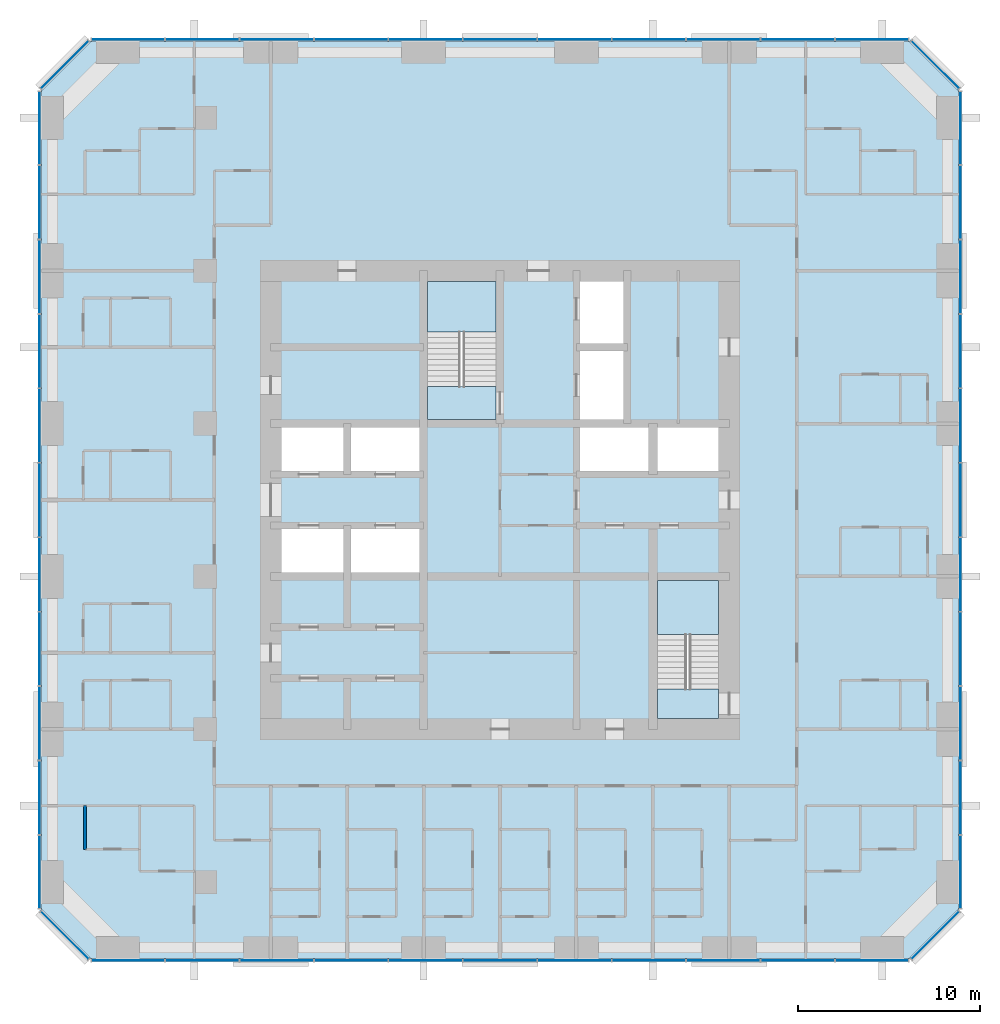
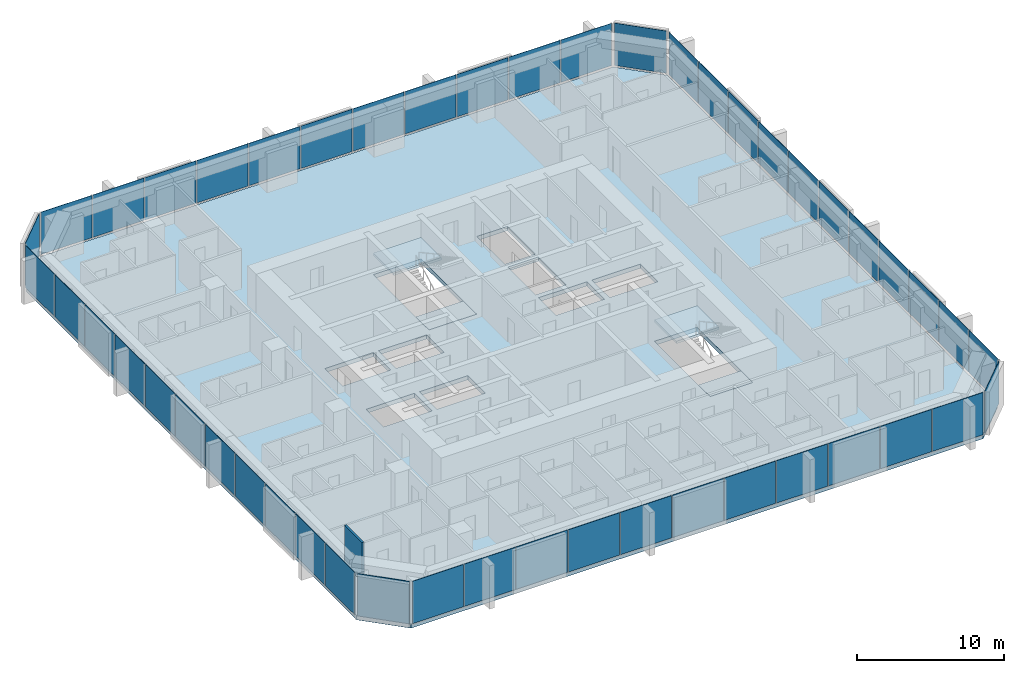
# One storey, part 7 of 14: 48 plates, 5 slabs, 1 wall, 10 elements without a shape of their own.
"""IFC4 building model written with IfcOpenShell, lengths in metres."""

from ifc_helpers import new_model, si_unit, direction, frame, frame_2d, origin, origin_2d, place, context, subcontext, project, spatial, polyline, rectangle, outline, extrude, material, layer, layer_set, type_object, element, aggregate, save


model = new_model("IFC4")

# Units and contexts
model_context = context("Model", 3, precision=1e-05, world=origin(), true_north=direction((0.0, 1.0)))
body_context = subcontext(model_context, "Body", "Model", "MODEL_VIEW")
ifc_project = project(units=[si_unit("LENGTHUNIT", "METRE"), si_unit("AREAUNIT", "SQUARE_METRE"), si_unit("VOLUMEUNIT", "CUBIC_METRE"), si_unit("PLANEANGLEUNIT", "RADIAN"), si_unit("MASSUNIT", "GRAM", prefix="KILO")], contexts=[model_context])

# Site, building, storey
site_placement = place(None, origin())
site = spatial("IfcSite", under=ifc_project, at=site_placement, CompositionType="ELEMENT")
building_placement = place(site_placement, origin())
building = spatial("IfcBuilding", under=site, at=building_placement, Name="Dunama Terrace Hotel", CompositionType="ELEMENT")
storey_placement = place(building_placement, frame((0.0, 0.0, 213.0)))
storey = spatial("IfcBuildingStorey", under=building, at=storey_placement, Name="L55", CompositionType="ELEMENT", Elevation=213.0)

# Curtain wall, plates
ifc_material_1 = material(Name="Aluminium curtain wall system", Category="aluminium")
curtain_wall_type = type_object("IfcCurtainWallType", Name="Unitised fritted glass wall CW-C", PredefinedType="NOTDEFINED", material=ifc_material_1)
curtain_wall_1_placement = place(storey_placement, origin())
curtain_wall_1 = element("IfcCurtainWall", 1, at=curtain_wall_1_placement, inside=storey, type_object=curtain_wall_type, Name="Unitised fritted glass wall CW-C L55", PredefinedType="NOTDEFINED")
ifc_material_2 = material(Name="Laminated glass", Category="glass")
ifc_layer_1 = layer(ifc_material_2, 0.031982421875)
ifc_layer_set_1 = layer_set([ifc_layer_1], Name="CWC clear glass panel")
plate_type_1 = type_object("IfcPlateType", Name="CWC clear glass panel", PredefinedType="CURTAIN_PANEL", material=ifc_layer_set_1)
plate_1_placement = place(storey_placement, frame((13.035888671875, 4.10009765625, 0.080078125), z_axis=(0.0, 0.0, 1.0), x_axis=(1.0, 0.0, 0.0)))
plate_1 = element("IfcPlate", 2, at=plate_1_placement, type_object=plate_type_1, Name="CWC clear glass panel", PredefinedType="CURTAIN_PANEL", context=body_context, shape_type="SweptSolid", body=[
    extrude(rectangle(XDim=4.02099609375, YDim=0.031982421875, at=origin_2d()), origin(), (0.0, 0.0, 1.0), 3.52001953125),
])
plate_2_placement = place(storey_placement, frame((25.30908203125, 4.10009765625, 0.080078125), z_axis=(0.0, 0.0, 1.0), x_axis=(1.0, 0.0, 0.0)))
plate_2 = element("IfcPlate", 3, at=plate_2_placement, type_object=plate_type_1, Name="CWC clear glass panel", PredefinedType="CURTAIN_PANEL", context=body_context, shape_type="SweptSolid", body=[
    extrude(rectangle(XDim=4.02099609375, YDim=0.031982421875, at=origin_2d()), origin(), (0.0, 0.0, 1.0), 3.52001953125),
])
plate_3_placement = place(storey_placement, frame((37.58203125, 4.10009765625, 0.080078125), z_axis=(0.0, 0.0, 1.0), x_axis=(1.0, 0.0, 0.0)))
plate_3 = element("IfcPlate", 4, at=plate_3_placement, type_object=plate_type_1, Name="CWC clear glass panel", PredefinedType="CURTAIN_PANEL", context=body_context, shape_type="SweptSolid", body=[
    extrude(rectangle(XDim=4.02099609375, YDim=0.031982421875, at=origin_2d()), origin(), (0.0, 0.0, 1.0), 3.52001953125),
])
plate_4_placement = place(storey_placement, frame((49.8369140625, 4.10009765625, 0.080078125), z_axis=(0.0, 0.0, 1.0), x_axis=(1.0, 0.0, 0.0)))
plate_4 = element("IfcPlate", 5, at=plate_4_placement, type_object=plate_type_1, Name="CWC clear glass panel", PredefinedType="CURTAIN_PANEL", context=body_context, shape_type="SweptSolid", body=[
    extrude(rectangle(XDim=3.98583984375, YDim=0.031982421875, at=origin_2d()), origin(), (0.0, 0.0, 1.0), 3.52001953125),
])

curtain_wall_2_placement = place(storey_placement, origin())
curtain_wall_2 = element("IfcCurtainWall", 6, at=curtain_wall_2_placement, inside=storey, type_object=curtain_wall_type, Name="Unitised fritted glass wall CW-C L55", PredefinedType="NOTDEFINED")
plate_5_placement = place(storey_placement, frame((54.699951171875, 13.035888671875, 0.080078125), z_axis=(0.0, 0.0, 1.0), x_axis=(0.0, 1.0, 0.0)))
plate_5 = element("IfcPlate", 7, at=plate_5_placement, type_object=plate_type_1, Name="CWC clear glass panel", PredefinedType="CURTAIN_PANEL", context=body_context, shape_type="SweptSolid", body=[
    extrude(rectangle(XDim=4.02099609375, YDim=0.031982421875, at=origin_2d()), origin(), (0.0, 0.0, 1.0), 3.52001953125),
])
plate_6_placement = place(storey_placement, frame((54.699951171875, 25.30908203125, 0.080078125), z_axis=(0.0, 0.0, 1.0), x_axis=(0.0, 1.0, 0.0)))
plate_6 = element("IfcPlate", 8, at=plate_6_placement, type_object=plate_type_1, Name="CWC clear glass panel", PredefinedType="CURTAIN_PANEL", context=body_context, shape_type="SweptSolid", body=[
    extrude(rectangle(XDim=4.02099609375, YDim=0.031982421875, at=origin_2d()), origin(), (0.0, 0.0, 1.0), 3.52001953125),
])
plate_7_placement = place(storey_placement, frame((54.699951171875, 37.58203125, 0.080078125), z_axis=(0.0, 0.0, 1.0), x_axis=(0.0, 1.0, 0.0)))
plate_7 = element("IfcPlate", 9, at=plate_7_placement, type_object=plate_type_1, Name="CWC clear glass panel", PredefinedType="CURTAIN_PANEL", context=body_context, shape_type="SweptSolid", body=[
    extrude(rectangle(XDim=4.02099609375, YDim=0.031982421875, at=origin_2d()), origin(), (0.0, 0.0, 1.0), 3.52001953125),
])
plate_8_placement = place(storey_placement, frame((54.699951171875, 49.8369140625, 0.080078125), z_axis=(0.0, 0.0, 1.0), x_axis=(0.0, 1.0, 0.0)))
plate_8 = element("IfcPlate", 10, at=plate_8_placement, type_object=plate_type_1, Name="CWC clear glass panel", PredefinedType="CURTAIN_PANEL", context=body_context, shape_type="SweptSolid", body=[
    extrude(rectangle(XDim=3.98583984375, YDim=0.031982421875, at=origin_2d()), origin(), (0.0, 0.0, 1.0), 3.52001953125),
])

curtain_wall_3_placement = place(storey_placement, origin())
curtain_wall_3 = element("IfcCurtainWall", 11, at=curtain_wall_3_placement, inside=storey, type_object=curtain_wall_type, Name="Unitised fritted glass wall CW-C L55", PredefinedType="NOTDEFINED")
plate_9_placement = place(storey_placement, frame((45.763916015625, 54.699951171875, 0.080078125), z_axis=(0.0, 0.0, 1.0), x_axis=(-1.0, 0.0, 0.0)))
plate_9 = element("IfcPlate", 12, at=plate_9_placement, type_object=plate_type_1, Name="CWC clear glass panel", PredefinedType="CURTAIN_PANEL", context=body_context, shape_type="SweptSolid", body=[
    extrude(rectangle(XDim=4.02099609375, YDim=0.031982421875, at=origin_2d()), origin(), (0.0, 0.0, 1.0), 3.52001953125),
])
plate_10_placement = place(storey_placement, frame((33.490966796875, 54.699951171875, 0.080078125), z_axis=(0.0, 0.0, 1.0), x_axis=(-1.0, 0.0, 0.0)))
plate_10 = element("IfcPlate", 13, at=plate_10_placement, type_object=plate_type_1, Name="CWC clear glass panel", PredefinedType="CURTAIN_PANEL", context=body_context, shape_type="SweptSolid", body=[
    extrude(rectangle(XDim=4.02099609375, YDim=0.031982421875, at=origin_2d()), origin(), (0.0, 0.0, 1.0), 3.52001953125),
])
plate_11_placement = place(storey_placement, frame((21.218017578125, 54.699951171875, 0.080078125), z_axis=(0.0, 0.0, 1.0), x_axis=(-1.0, 0.0, 0.0)))
plate_11 = element("IfcPlate", 14, at=plate_11_placement, type_object=plate_type_1, Name="CWC clear glass panel", PredefinedType="CURTAIN_PANEL", context=body_context, shape_type="SweptSolid", body=[
    extrude(rectangle(XDim=4.02099609375, YDim=0.031982421875, at=origin_2d()), origin(), (0.0, 0.0, 1.0), 3.52001953125),
])
plate_12_placement = place(storey_placement, frame((8.962890625, 54.699951171875, 0.080078125), z_axis=(0.0, 0.0, 1.0), x_axis=(-1.0, 0.0, 0.0)))
plate_12 = element("IfcPlate", 15, at=plate_12_placement, type_object=plate_type_1, Name="CWC clear glass panel", PredefinedType="CURTAIN_PANEL", context=body_context, shape_type="SweptSolid", body=[
    extrude(rectangle(XDim=3.98583984375, YDim=0.031982421875, at=origin_2d()), origin(), (0.0, 0.0, 1.0), 3.52001953125),
])

curtain_wall_4_placement = place(storey_placement, origin())
curtain_wall_4 = element("IfcCurtainWall", 16, at=curtain_wall_4_placement, inside=storey, type_object=curtain_wall_type, Name="Unitised fritted glass wall CW-C L55", PredefinedType="NOTDEFINED")
plate_13_placement = place(storey_placement, frame((4.10009765625, 45.763916015625, 0.080078125), z_axis=(0.0, 0.0, 1.0), x_axis=(0.0, -1.0, 0.0)))
plate_13 = element("IfcPlate", 17, at=plate_13_placement, type_object=plate_type_1, Name="CWC clear glass panel", PredefinedType="CURTAIN_PANEL", context=body_context, shape_type="SweptSolid", body=[
    extrude(rectangle(XDim=4.02099609375, YDim=0.031982421875, at=origin_2d()), origin(), (0.0, 0.0, 1.0), 3.52001953125),
])
plate_14_placement = place(storey_placement, frame((4.10009765625, 33.490966796875, 0.080078125), z_axis=(0.0, 0.0, 1.0), x_axis=(0.0, -1.0, 0.0)))
plate_14 = element("IfcPlate", 18, at=plate_14_placement, type_object=plate_type_1, Name="CWC clear glass panel", PredefinedType="CURTAIN_PANEL", context=body_context, shape_type="SweptSolid", body=[
    extrude(rectangle(XDim=4.02099609375, YDim=0.031982421875, at=origin_2d()), origin(), (0.0, 0.0, 1.0), 3.52001953125),
])
plate_15_placement = place(storey_placement, frame((4.10009765625, 21.218017578125, 0.080078125), z_axis=(0.0, 0.0, 1.0), x_axis=(0.0, -1.0, 0.0)))
plate_15 = element("IfcPlate", 19, at=plate_15_placement, type_object=plate_type_1, Name="CWC clear glass panel", PredefinedType="CURTAIN_PANEL", context=body_context, shape_type="SweptSolid", body=[
    extrude(rectangle(XDim=4.02099609375, YDim=0.031982421875, at=origin_2d()), origin(), (0.0, 0.0, 1.0), 3.52001953125),
])
plate_16_placement = place(storey_placement, frame((4.10009765625, 8.962890625, 0.080078125), z_axis=(0.0, 0.0, 1.0), x_axis=(0.0, -1.0, 0.0)))
plate_16 = element("IfcPlate", 20, at=plate_16_placement, type_object=plate_type_1, Name="CWC clear glass panel", PredefinedType="CURTAIN_PANEL", context=body_context, shape_type="SweptSolid", body=[
    extrude(rectangle(XDim=3.98583984375, YDim=0.031982421875, at=origin_2d()), origin(), (0.0, 0.0, 1.0), 3.52001953125),
])

# Plate
ifc_material_3 = material(Name="Fritted laminated glass", Category="glass")
ifc_layer_2 = layer(ifc_material_3, 0.031982421875)
ifc_layer_set_2 = layer_set([ifc_layer_2], Name="CWC fritted glass panel")
plate_type_2 = type_object("IfcPlateType", Name="CWC fritted glass panel", PredefinedType="CURTAIN_PANEL", material=ifc_layer_set_2)
plate_17_placement = place(storey_placement, frame((8.962890625, 4.10009765625, 0.080078125), z_axis=(0.0, 0.0, 1.0), x_axis=(1.0, 0.0, 0.0)))
plate_17 = element("IfcPlate", 21, at=plate_17_placement, type_object=plate_type_2, Name="CWC fritted glass panel", PredefinedType="CURTAIN_PANEL", context=body_context, shape_type="SweptSolid", body=[
    extrude(rectangle(XDim=3.98583984375, YDim=0.031982421875, at=origin_2d()), origin(), (0.0, 0.0, 1.0), 3.52001953125),
])

plate_18_placement = place(storey_placement, frame((21.218017578125, 4.10009765625, 0.080078125), z_axis=(0.0, 0.0, 1.0), x_axis=(1.0, 0.0, 0.0)))
plate_18 = element("IfcPlate", 22, at=plate_18_placement, type_object=plate_type_2, Name="CWC fritted glass panel", PredefinedType="CURTAIN_PANEL", context=body_context, shape_type="SweptSolid", body=[
    extrude(rectangle(XDim=4.02099609375, YDim=0.031982421875, at=origin_2d()), origin(), (0.0, 0.0, 1.0), 3.52001953125),
])

plate_19_placement = place(storey_placement, frame((33.490966796875, 4.10009765625, 0.080078125), z_axis=(0.0, 0.0, 1.0), x_axis=(1.0, 0.0, 0.0)))
plate_19 = element("IfcPlate", 23, at=plate_19_placement, type_object=plate_type_2, Name="CWC fritted glass panel", PredefinedType="CURTAIN_PANEL", context=body_context, shape_type="SweptSolid", body=[
    extrude(rectangle(XDim=4.02099609375, YDim=0.031982421875, at=origin_2d()), origin(), (0.0, 0.0, 1.0), 3.52001953125),
])

plate_20_placement = place(storey_placement, frame((45.763916015625, 4.10009765625, 0.080078125), z_axis=(0.0, 0.0, 1.0), x_axis=(1.0, 0.0, 0.0)))
plate_20 = element("IfcPlate", 24, at=plate_20_placement, type_object=plate_type_2, Name="CWC fritted glass panel", PredefinedType="CURTAIN_PANEL", context=body_context, shape_type="SweptSolid", body=[
    extrude(rectangle(XDim=4.02099609375, YDim=0.031982421875, at=origin_2d()), origin(), (0.0, 0.0, 1.0), 3.52001953125),
])

plate_21_placement = place(storey_placement, frame((54.699951171875, 8.962890625, 0.080078125), z_axis=(0.0, 0.0, 1.0), x_axis=(0.0, 1.0, 0.0)))
plate_21 = element("IfcPlate", 25, at=plate_21_placement, type_object=plate_type_2, Name="CWC fritted glass panel", PredefinedType="CURTAIN_PANEL", context=body_context, shape_type="SweptSolid", body=[
    extrude(rectangle(XDim=3.98583984375, YDim=0.031982421875, at=origin_2d()), origin(), (0.0, 0.0, 1.0), 3.52001953125),
])

plate_22_placement = place(storey_placement, frame((54.699951171875, 21.218017578125, 0.080078125), z_axis=(0.0, 0.0, 1.0), x_axis=(0.0, 1.0, 0.0)))
plate_22 = element("IfcPlate", 26, at=plate_22_placement, type_object=plate_type_2, Name="CWC fritted glass panel", PredefinedType="CURTAIN_PANEL", context=body_context, shape_type="SweptSolid", body=[
    extrude(rectangle(XDim=4.02099609375, YDim=0.031982421875, at=origin_2d()), origin(), (0.0, 0.0, 1.0), 3.52001953125),
])

plate_23_placement = place(storey_placement, frame((54.699951171875, 33.490966796875, 0.080078125), z_axis=(0.0, 0.0, 1.0), x_axis=(0.0, 1.0, 0.0)))
plate_23 = element("IfcPlate", 27, at=plate_23_placement, type_object=plate_type_2, Name="CWC fritted glass panel", PredefinedType="CURTAIN_PANEL", context=body_context, shape_type="SweptSolid", body=[
    extrude(rectangle(XDim=4.02099609375, YDim=0.031982421875, at=origin_2d()), origin(), (0.0, 0.0, 1.0), 3.52001953125),
])

plate_24_placement = place(storey_placement, frame((54.699951171875, 45.763916015625, 0.080078125), z_axis=(0.0, 0.0, 1.0), x_axis=(0.0, 1.0, 0.0)))
plate_24 = element("IfcPlate", 28, at=plate_24_placement, type_object=plate_type_2, Name="CWC fritted glass panel", PredefinedType="CURTAIN_PANEL", context=body_context, shape_type="SweptSolid", body=[
    extrude(rectangle(XDim=4.02099609375, YDim=0.031982421875, at=origin_2d()), origin(), (0.0, 0.0, 1.0), 3.52001953125),
])

plate_25_placement = place(storey_placement, frame((49.8369140625, 54.699951171875, 0.080078125), z_axis=(0.0, 0.0, 1.0), x_axis=(-1.0, 0.0, 0.0)))
plate_25 = element("IfcPlate", 29, at=plate_25_placement, type_object=plate_type_2, Name="CWC fritted glass panel", PredefinedType="CURTAIN_PANEL", context=body_context, shape_type="SweptSolid", body=[
    extrude(rectangle(XDim=3.98583984375, YDim=0.031982421875, at=origin_2d()), origin(), (0.0, 0.0, 1.0), 3.52001953125),
])

plate_26_placement = place(storey_placement, frame((37.58203125, 54.699951171875, 0.080078125), z_axis=(0.0, 0.0, 1.0), x_axis=(-1.0, 0.0, 0.0)))
plate_26 = element("IfcPlate", 30, at=plate_26_placement, type_object=plate_type_2, Name="CWC fritted glass panel", PredefinedType="CURTAIN_PANEL", context=body_context, shape_type="SweptSolid", body=[
    extrude(rectangle(XDim=4.02099609375, YDim=0.031982421875, at=origin_2d()), origin(), (0.0, 0.0, 1.0), 3.52001953125),
])

plate_27_placement = place(storey_placement, frame((25.30908203125, 54.699951171875, 0.080078125), z_axis=(0.0, 0.0, 1.0), x_axis=(-1.0, 0.0, 0.0)))
plate_27 = element("IfcPlate", 31, at=plate_27_placement, type_object=plate_type_2, Name="CWC fritted glass panel", PredefinedType="CURTAIN_PANEL", context=body_context, shape_type="SweptSolid", body=[
    extrude(rectangle(XDim=4.02099609375, YDim=0.031982421875, at=origin_2d()), origin(), (0.0, 0.0, 1.0), 3.52001953125),
])

plate_28_placement = place(storey_placement, frame((13.035888671875, 54.699951171875, 0.080078125), z_axis=(0.0, 0.0, 1.0), x_axis=(-1.0, 0.0, 0.0)))
plate_28 = element("IfcPlate", 32, at=plate_28_placement, type_object=plate_type_2, Name="CWC fritted glass panel", PredefinedType="CURTAIN_PANEL", context=body_context, shape_type="SweptSolid", body=[
    extrude(rectangle(XDim=4.02099609375, YDim=0.031982421875, at=origin_2d()), origin(), (0.0, 0.0, 1.0), 3.52001953125),
])

plate_29_placement = place(storey_placement, frame((4.10009765625, 49.8369140625, 0.080078125), z_axis=(0.0, 0.0, 1.0), x_axis=(0.0, -1.0, 0.0)))
plate_29 = element("IfcPlate", 33, at=plate_29_placement, type_object=plate_type_2, Name="CWC fritted glass panel", PredefinedType="CURTAIN_PANEL", context=body_context, shape_type="SweptSolid", body=[
    extrude(rectangle(XDim=3.98583984375, YDim=0.031982421875, at=origin_2d()), origin(), (0.0, 0.0, 1.0), 3.52001953125),
])

plate_30_placement = place(storey_placement, frame((4.10009765625, 37.58203125, 0.080078125), z_axis=(0.0, 0.0, 1.0), x_axis=(0.0, -1.0, 0.0)))
plate_30 = element("IfcPlate", 34, at=plate_30_placement, type_object=plate_type_2, Name="CWC fritted glass panel", PredefinedType="CURTAIN_PANEL", context=body_context, shape_type="SweptSolid", body=[
    extrude(rectangle(XDim=4.02099609375, YDim=0.031982421875, at=origin_2d()), origin(), (0.0, 0.0, 1.0), 3.52001953125),
])

plate_31_placement = place(storey_placement, frame((4.10009765625, 25.30908203125, 0.080078125), z_axis=(0.0, 0.0, 1.0), x_axis=(0.0, -1.0, 0.0)))
plate_31 = element("IfcPlate", 35, at=plate_31_placement, type_object=plate_type_2, Name="CWC fritted glass panel", PredefinedType="CURTAIN_PANEL", context=body_context, shape_type="SweptSolid", body=[
    extrude(rectangle(XDim=4.02099609375, YDim=0.031982421875, at=origin_2d()), origin(), (0.0, 0.0, 1.0), 3.52001953125),
])

plate_32_placement = place(storey_placement, frame((4.10009765625, 13.035888671875, 0.080078125), z_axis=(0.0, 0.0, 1.0), x_axis=(0.0, -1.0, 0.0)))
plate_32 = element("IfcPlate", 36, at=plate_32_placement, type_object=plate_type_2, Name="CWC fritted glass panel", PredefinedType="CURTAIN_PANEL", context=body_context, shape_type="SweptSolid", body=[
    extrude(rectangle(XDim=4.02099609375, YDim=0.031982421875, at=origin_2d()), origin(), (0.0, 0.0, 1.0), 3.52001953125),
])

ifc_material_4 = material(Name="Laminated glass", Category="glass")
ifc_layer_3 = layer(ifc_material_4, 0.031982421875)
ifc_layer_set_3 = layer_set([ifc_layer_3], Name="CWC operable glass panel")
plate_type_3 = type_object("IfcPlateType", Name="CWC operable glass panel", PredefinedType="CURTAIN_PANEL", material=ifc_layer_set_3)
plate_33_placement = place(storey_placement, frame((17.126953125, 4.10009765625, 0.080078125), z_axis=(0.0, 0.0, 1.0), x_axis=(1.0, 0.0, 0.0)))
plate_33 = element("IfcPlate", 37, at=plate_33_placement, type_object=plate_type_3, Name="CWC operable glass panel", PredefinedType="CURTAIN_PANEL", context=body_context, shape_type="SweptSolid", body=[
    extrude(rectangle(XDim=4.02099609375, YDim=0.031982421875, at=origin_2d()), origin(), (0.0, 0.0, 1.0), 3.52001953125),
])

plate_34_placement = place(storey_placement, frame((29.39990234375, 4.10009765625, 0.080078125), z_axis=(0.0, 0.0, 1.0), x_axis=(1.0, 0.0, 0.0)))
plate_34 = element("IfcPlate", 38, at=plate_34_placement, type_object=plate_type_3, Name="CWC operable glass panel", PredefinedType="CURTAIN_PANEL", context=body_context, shape_type="SweptSolid", body=[
    extrude(rectangle(XDim=4.02099609375, YDim=0.031982421875, at=origin_2d()), origin(), (0.0, 0.0, 1.0), 3.52001953125),
])

plate_35_placement = place(storey_placement, frame((41.673095703125, 4.10009765625, 0.080078125), z_axis=(0.0, 0.0, 1.0), x_axis=(1.0, 0.0, 0.0)))
plate_35 = element("IfcPlate", 39, at=plate_35_placement, type_object=plate_type_3, Name="CWC operable glass panel", PredefinedType="CURTAIN_PANEL", context=body_context, shape_type="SweptSolid", body=[
    extrude(rectangle(XDim=4.02099609375, YDim=0.031982421875, at=origin_2d()), origin(), (0.0, 0.0, 1.0), 3.52001953125),
])

aggregate(curtain_wall_1, [plate_17, plate_1, plate_33, plate_18, plate_2, plate_34, plate_19, plate_3, plate_35, plate_20, plate_4])

# Curtain wall, plate
curtain_wall_5_placement = place(storey_placement, origin())
curtain_wall_5 = element("IfcCurtainWall", 40, at=curtain_wall_5_placement, inside=storey, type_object=curtain_wall_type, Name="Unitised fritted glass wall CW-C L55", PredefinedType="NOTDEFINED")
plate_36_placement = place(storey_placement, frame((53.321044921875, 5.47900390625, 0.080078125), z_axis=(0.0, 0.0, 1.0), x_axis=(0.707106781187, 0.707106781187, 0.0)))
plate_36 = element("IfcPlate", 41, at=plate_36_placement, type_object=plate_type_3, Name="CWC operable glass panel", PredefinedType="CURTAIN_PANEL", context=body_context, shape_type="SweptSolid", body=[
    extrude(rectangle(XDim=3.678466796875, YDim=0.031982421875, at=origin_2d()), origin(), (0.0, 0.0, 1.0), 3.52001953125),
])
aggregate(curtain_wall_5, [plate_36])

# Plate
plate_37_placement = place(storey_placement, frame((54.699951171875, 17.126953125, 0.080078125), z_axis=(0.0, 0.0, 1.0), x_axis=(0.0, 1.0, 0.0)))
plate_37 = element("IfcPlate", 42, at=plate_37_placement, type_object=plate_type_3, Name="CWC operable glass panel", PredefinedType="CURTAIN_PANEL", context=body_context, shape_type="SweptSolid", body=[
    extrude(rectangle(XDim=4.02099609375, YDim=0.031982421875, at=origin_2d()), origin(), (0.0, 0.0, 1.0), 3.52001953125),
])

plate_38_placement = place(storey_placement, frame((54.699951171875, 29.39990234375, 0.080078125), z_axis=(0.0, 0.0, 1.0), x_axis=(0.0, 1.0, 0.0)))
plate_38 = element("IfcPlate", 43, at=plate_38_placement, type_object=plate_type_3, Name="CWC operable glass panel", PredefinedType="CURTAIN_PANEL", context=body_context, shape_type="SweptSolid", body=[
    extrude(rectangle(XDim=4.02099609375, YDim=0.031982421875, at=origin_2d()), origin(), (0.0, 0.0, 1.0), 3.52001953125),
])

plate_39_placement = place(storey_placement, frame((54.699951171875, 41.673095703125, 0.080078125), z_axis=(0.0, 0.0, 1.0), x_axis=(0.0, 1.0, 0.0)))
plate_39 = element("IfcPlate", 44, at=plate_39_placement, type_object=plate_type_3, Name="CWC operable glass panel", PredefinedType="CURTAIN_PANEL", context=body_context, shape_type="SweptSolid", body=[
    extrude(rectangle(XDim=4.02099609375, YDim=0.031982421875, at=origin_2d()), origin(), (0.0, 0.0, 1.0), 3.52001953125),
])

aggregate(curtain_wall_2, [plate_21, plate_5, plate_37, plate_22, plate_6, plate_38, plate_23, plate_7, plate_39, plate_24, plate_8])

# Curtain wall, plate
curtain_wall_6_placement = place(storey_placement, origin())
curtain_wall_6 = element("IfcCurtainWall", 45, at=curtain_wall_6_placement, inside=storey, type_object=curtain_wall_type, Name="Unitised fritted glass wall CW-C L55", PredefinedType="NOTDEFINED")
plate_40_placement = place(storey_placement, frame((53.321044921875, 53.321044921875, 0.080078125), z_axis=(0.0, 0.0, 1.0), x_axis=(-0.707106781187, 0.707106781187, 0.0)))
plate_40 = element("IfcPlate", 46, at=plate_40_placement, type_object=plate_type_3, Name="CWC operable glass panel", PredefinedType="CURTAIN_PANEL", context=body_context, shape_type="SweptSolid", body=[
    extrude(rectangle(XDim=3.678466796875, YDim=0.031982421875, at=origin_2d()), origin(), (0.0, 0.0, 1.0), 3.52001953125),
])
aggregate(curtain_wall_6, [plate_40])

# Plate
plate_41_placement = place(storey_placement, frame((41.673095703125, 54.699951171875, 0.080078125), z_axis=(0.0, 0.0, 1.0), x_axis=(-1.0, 0.0, 0.0)))
plate_41 = element("IfcPlate", 47, at=plate_41_placement, type_object=plate_type_3, Name="CWC operable glass panel", PredefinedType="CURTAIN_PANEL", context=body_context, shape_type="SweptSolid", body=[
    extrude(rectangle(XDim=4.02099609375, YDim=0.031982421875, at=origin_2d()), origin(), (0.0, 0.0, 1.0), 3.52001953125),
])

plate_42_placement = place(storey_placement, frame((29.39990234375, 54.699951171875, 0.080078125), z_axis=(0.0, 0.0, 1.0), x_axis=(-1.0, 0.0, 0.0)))
plate_42 = element("IfcPlate", 48, at=plate_42_placement, type_object=plate_type_3, Name="CWC operable glass panel", PredefinedType="CURTAIN_PANEL", context=body_context, shape_type="SweptSolid", body=[
    extrude(rectangle(XDim=4.02099609375, YDim=0.031982421875, at=origin_2d()), origin(), (0.0, 0.0, 1.0), 3.52001953125),
])

plate_43_placement = place(storey_placement, frame((17.126953125, 54.699951171875, 0.080078125), z_axis=(0.0, 0.0, 1.0), x_axis=(-1.0, 0.0, 0.0)))
plate_43 = element("IfcPlate", 49, at=plate_43_placement, type_object=plate_type_3, Name="CWC operable glass panel", PredefinedType="CURTAIN_PANEL", context=body_context, shape_type="SweptSolid", body=[
    extrude(rectangle(XDim=4.02099609375, YDim=0.031982421875, at=origin_2d()), origin(), (0.0, 0.0, 1.0), 3.52001953125),
])

aggregate(curtain_wall_3, [plate_25, plate_9, plate_41, plate_26, plate_10, plate_42, plate_27, plate_11, plate_43, plate_28, plate_12])

# Curtain wall, plate
curtain_wall_7_placement = place(storey_placement, origin())
curtain_wall_7 = element("IfcCurtainWall", 50, at=curtain_wall_7_placement, inside=storey, type_object=curtain_wall_type, Name="Unitised fritted glass wall CW-C L55", PredefinedType="NOTDEFINED")
plate_44_placement = place(storey_placement, frame((5.47900390625, 53.321044921875, 0.080078125), z_axis=(0.0, 0.0, 1.0), x_axis=(-0.707106781187, -0.707106781187, 0.0)))
plate_44 = element("IfcPlate", 51, at=plate_44_placement, type_object=plate_type_3, Name="CWC operable glass panel", PredefinedType="CURTAIN_PANEL", context=body_context, shape_type="SweptSolid", body=[
    extrude(rectangle(XDim=3.678466796875, YDim=0.031982421875, at=origin_2d()), origin(), (0.0, 0.0, 1.0), 3.52001953125),
])
aggregate(curtain_wall_7, [plate_44])

# Plate
plate_45_placement = place(storey_placement, frame((4.10009765625, 41.673095703125, 0.080078125), z_axis=(0.0, 0.0, 1.0), x_axis=(0.0, -1.0, 0.0)))
plate_45 = element("IfcPlate", 52, at=plate_45_placement, type_object=plate_type_3, Name="CWC operable glass panel", PredefinedType="CURTAIN_PANEL", context=body_context, shape_type="SweptSolid", body=[
    extrude(rectangle(XDim=4.02099609375, YDim=0.031982421875, at=origin_2d()), origin(), (0.0, 0.0, 1.0), 3.52001953125),
])

plate_46_placement = place(storey_placement, frame((4.10009765625, 29.39990234375, 0.080078125), z_axis=(0.0, 0.0, 1.0), x_axis=(0.0, -1.0, 0.0)))
plate_46 = element("IfcPlate", 53, at=plate_46_placement, type_object=plate_type_3, Name="CWC operable glass panel", PredefinedType="CURTAIN_PANEL", context=body_context, shape_type="SweptSolid", body=[
    extrude(rectangle(XDim=4.02099609375, YDim=0.031982421875, at=origin_2d()), origin(), (0.0, 0.0, 1.0), 3.52001953125),
])

plate_47_placement = place(storey_placement, frame((4.10009765625, 17.126953125, 0.080078125), z_axis=(0.0, 0.0, 1.0), x_axis=(0.0, -1.0, 0.0)))
plate_47 = element("IfcPlate", 54, at=plate_47_placement, type_object=plate_type_3, Name="CWC operable glass panel", PredefinedType="CURTAIN_PANEL", context=body_context, shape_type="SweptSolid", body=[
    extrude(rectangle(XDim=4.02099609375, YDim=0.031982421875, at=origin_2d()), origin(), (0.0, 0.0, 1.0), 3.52001953125),
])

aggregate(curtain_wall_4, [plate_29, plate_13, plate_45, plate_30, plate_14, plate_46, plate_31, plate_15, plate_47, plate_32, plate_16])

# Curtain wall, plate
curtain_wall_8_placement = place(storey_placement, origin())
curtain_wall_8 = element("IfcCurtainWall", 55, at=curtain_wall_8_placement, inside=storey, type_object=curtain_wall_type, Name="Unitised fritted glass wall CW-C L55", PredefinedType="NOTDEFINED")
plate_48_placement = place(storey_placement, frame((5.47900390625, 5.47900390625, 0.080078125), z_axis=(0.0, 0.0, 1.0), x_axis=(0.707106781187, -0.707106781187, 0.0)))
plate_48 = element("IfcPlate", 56, at=plate_48_placement, type_object=plate_type_3, Name="CWC operable glass panel", PredefinedType="CURTAIN_PANEL", context=body_context, shape_type="SweptSolid", body=[
    extrude(rectangle(XDim=3.678466796875, YDim=0.031982421875, at=origin_2d()), origin(), (0.0, 0.0, 1.0), 3.52001953125),
])
aggregate(curtain_wall_8, [plate_48])

# Slab
ifc_material_5 = material(Name="Concrete C40/50", Category="concrete")
ifc_layer_4 = layer(ifc_material_5, 0.35009765625)
ifc_layer_set_4 = layer_set([ifc_layer_4], Name="Flat plate 350")
slab_type_1 = type_object("IfcSlabType", Name="Flat plate 350", PredefinedType="FLOOR", material=ifc_layer_set_4)
slab_1_placement = place(storey_placement, frame((0.0, 0.0, -0.35009765625)))
element("IfcSlab", 57, at=slab_1_placement, inside=storey, type_object=slab_type_1, Name="Floor slab L55", PredefinedType="FLOOR", context=body_context, shape_type="SweptSolid", body=[
    extrude(outline(polyline([(6.89990234375, 4.199951171875), (51.89990234375, 4.199951171875), (54.60009765625, 6.89990234375), (54.60009765625, 51.89990234375), (51.89990234375, 54.60009765625), (6.89990234375, 54.60009765625), (4.199951171875, 51.89990234375), (4.199951171875, 6.89990234375), (6.89990234375, 4.199951171875)]), holes=[polyline([(20.800048828125, 25.39990234375), (20.800048828125, 27.800048828125), (17.0, 27.800048828125), (17.0, 25.39990234375), (20.800048828125, 25.39990234375)]), polyline([(25.0, 25.39990234375), (25.0, 27.800048828125), (21.199951171875, 27.800048828125), (21.199951171875, 25.39990234375), (25.0, 25.39990234375)]), polyline([(20.800048828125, 31.0), (20.800048828125, 33.39990234375), (17.0, 33.39990234375), (17.0, 31.0), (20.800048828125, 31.0)]), polyline([(25.0, 31.0), (25.0, 33.39990234375), (21.199951171875, 33.39990234375), (21.199951171875, 31.0), (25.0, 31.0)]), polyline([(37.60009765625, 31.0), (37.60009765625, 33.39990234375), (33.800048828125, 33.39990234375), (33.800048828125, 31.0), (37.60009765625, 31.0)]), polyline([(41.800048828125, 31.0), (41.800048828125, 33.39990234375), (38.0, 33.39990234375), (38.0, 31.0), (41.800048828125, 31.0)]), polyline([(36.199951171875, 38.0), (36.199951171875, 41.800048828125), (33.800048828125, 41.800048828125), (33.800048828125, 38.0), (36.199951171875, 38.0)]), polyline([(36.199951171875, 33.800048828125), (36.199951171875, 37.60009765625), (33.800048828125, 37.60009765625), (33.800048828125, 33.800048828125), (36.199951171875, 33.800048828125)]), polyline([(29.175048828125, 33.824951171875), (29.175048828125, 41.39990234375), (25.425048828125, 41.39990234375), (25.425048828125, 33.824951171875), (29.175048828125, 33.824951171875)]), polyline([(41.39990234375, 17.39990234375), (41.39990234375, 24.97509765625), (38.050048828125, 24.97509765625), (38.050048828125, 17.39990234375), (41.39990234375, 17.39990234375)])]), origin(), (0.0, 0.0, 1.0), 0.35009765625),
])

# Stair, slabs
ifc_material_6 = material(Name="Concrete C40/50", Category="concrete")
stair_type_1 = type_object("IfcStairType", Name="Stair ST1-3600-1800", PredefinedType="HALF_TURN_STAIR", material=ifc_material_6)
stair_1_placement = place(storey_placement, origin())
stair_1 = element("IfcStair", 58, at=stair_1_placement, inside=storey, type_object=stair_type_1, Name="Stair ST1 L55", PredefinedType="HALF_TURN_STAIR")
ifc_material_7 = material(Name="Concrete C40/50", Category="concrete")
ifc_layer_5 = layer(ifc_material_7, 0.199951171875)
ifc_layer_set_5 = layer_set([ifc_layer_5], Name="Stair landing 200")
slab_type_2 = type_object("IfcSlabType", Name="Stair landing 200", PredefinedType="LANDING", material=ifc_layer_set_5)
slab_2_placement = place(storey_placement, frame((0.0, 0.0, -0.199951171875)))
slab_2 = element("IfcSlab", 59, at=slab_2_placement, type_object=slab_type_2, Name="ST1 landing 1, type S10", PredefinedType="LANDING", context=body_context, shape_type="SweptSolid", body=[
    extrude(outline(polyline([(25.425048828125, 33.824951171875), (29.175048828125, 33.824951171875), (29.175048828125, 35.625), (25.425048828125, 35.625), (25.425048828125, 33.824951171875)])), origin(), (0.0, 0.0, 1.0), 0.199951171875),
])
slab_3_placement = place(storey_placement, frame((0.0, 0.0, 1.60009765625)))
slab_3 = element("IfcSlab", 60, at=slab_3_placement, type_object=slab_type_2, Name="ST1 landing 2, type S10", PredefinedType="LANDING", context=body_context, shape_type="SweptSolid", body=[
    extrude(outline(polyline([(25.425048828125, 38.625), (29.175048828125, 38.625), (29.175048828125, 41.39990234375), (25.425048828125, 41.39990234375), (25.425048828125, 38.625)])), origin(), (0.0, 0.0, 1.0), 0.199951171875),
])
aggregate(stair_1, [slab_2, slab_3])

ifc_material_8 = material(Name="Concrete C40/50", Category="concrete")
stair_type_2 = type_object("IfcStairType", Name="Stair ST2-3600-1600", PredefinedType="HALF_TURN_STAIR", material=ifc_material_8)
stair_2_placement = place(storey_placement, origin())
stair_2 = element("IfcStair", 61, at=stair_2_placement, inside=storey, type_object=stair_type_2, Name="Stair ST2 L55", PredefinedType="HALF_TURN_STAIR")
slab_4_placement = place(storey_placement, frame((0.0, 0.0, -0.199951171875)))
slab_4 = element("IfcSlab", 62, at=slab_4_placement, type_object=slab_type_2, Name="ST2 landing 1, type S10", PredefinedType="LANDING", context=body_context, shape_type="SweptSolid", body=[
    extrude(outline(polyline([(38.050048828125, 17.39990234375), (41.39990234375, 17.39990234375), (41.39990234375, 19.0), (38.050048828125, 19.0), (38.050048828125, 17.39990234375)])), origin(), (0.0, 0.0, 1.0), 0.199951171875),
])
slab_5_placement = place(storey_placement, frame((0.0, 0.0, 1.60009765625)))
slab_5 = element("IfcSlab", 63, at=slab_5_placement, type_object=slab_type_2, Name="ST2 landing 2, type S10", PredefinedType="LANDING", context=body_context, shape_type="SweptSolid", body=[
    extrude(outline(polyline([(38.050048828125, 22.0), (41.39990234375, 22.0), (41.39990234375, 24.97509765625), (38.050048828125, 24.97509765625), (38.050048828125, 22.0)])), origin(), (0.0, 0.0, 1.0), 0.199951171875),
])
aggregate(stair_2, [slab_4, slab_5])

# Wall
ifc_material_9 = material(Name="Gypsum board partition", Category="masonry")
ifc_layer_6 = layer(ifc_material_9, 0.14990234375)
ifc_layer_set_6 = layer_set([ifc_layer_6], Name="Room partition 150")
wall_type = type_object("IfcWallType", Name="Room partition 150", PredefinedType="PARTITIONING", material=ifc_layer_set_6)
wall_placement = place(storey_placement, frame((6.60009765625, 10.199951171875, 0.0), z_axis=(0.0, 0.0, 1.0), x_axis=(0.0, 1.0, 0.0)))
element("IfcWall", 64, at=wall_placement, inside=storey, type_object=wall_type, Name="Room partition 150 L55", PredefinedType="PARTITIONING", context=body_context, shape_type="SweptSolid", body=[
    extrude(rectangle(XDim=2.400146484375, YDim=0.14990234375, at=frame_2d((1.2001953125, 0.0))), origin(), (0.0, 0.0, 1.0), 3.25),
])

save(model, "model.ifc")
